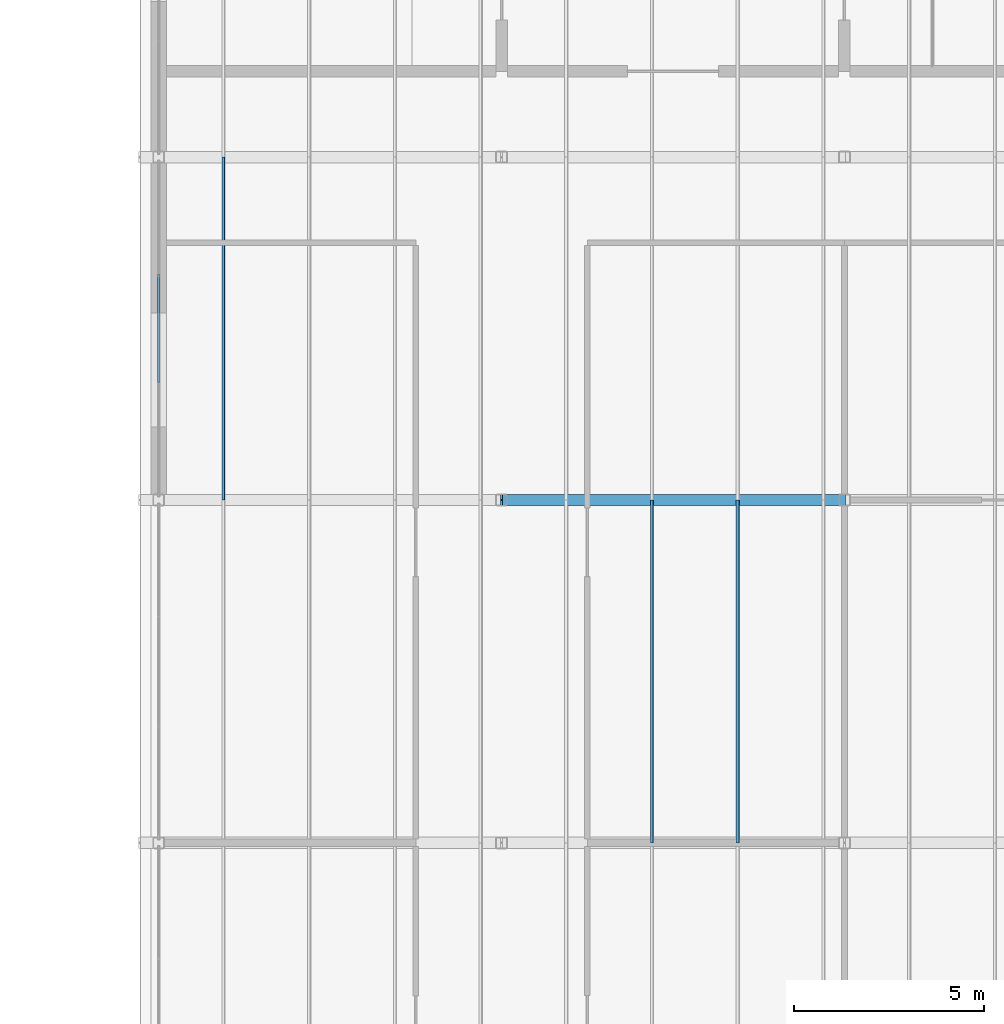
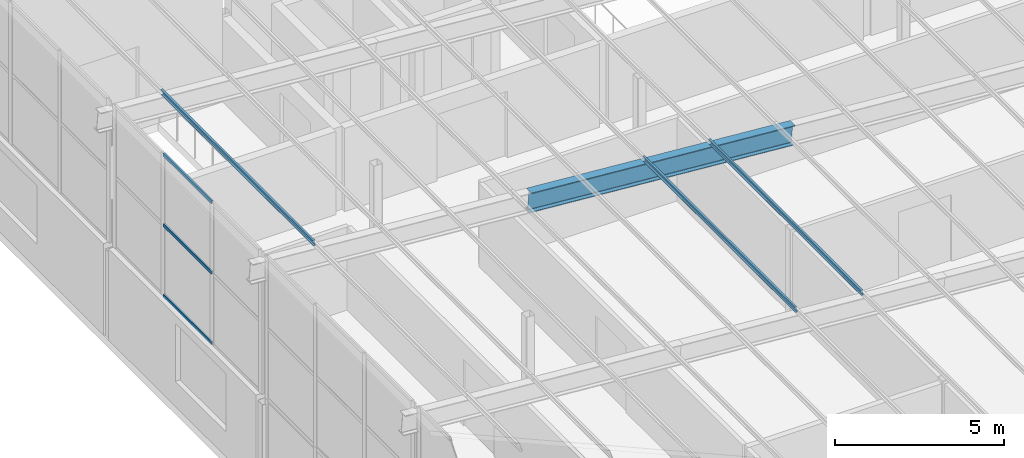
# One storey, part 50 of 85: 7 members, 1 element without a shape of its own.
"""IFC4 building model written with IfcOpenShell, lengths in metres."""

from ifc_helpers import new_model, si_unit, direction, frame, origin, origin_2d, place, context, subcontext, project, spatial, polyline, hollow_rectangle, i_section, outline, extrude, material, layer, layer_set, material_profile, profile_set, type_object, element, aggregate, save


model = new_model("IFC4")

# Units and contexts
model_context = context("Model", 3, precision=1e-05, world=origin(), true_north=direction((0.0, 1.0)))
body_context = subcontext(model_context, "Body", "Model", "MODEL_VIEW")
ifc_project = project(units=[si_unit("LENGTHUNIT", "METRE"), si_unit("AREAUNIT", "SQUARE_METRE"), si_unit("VOLUMEUNIT", "CUBIC_METRE"), si_unit("PLANEANGLEUNIT", "RADIAN"), si_unit("MASSUNIT", "GRAM", prefix="KILO")], contexts=[model_context])

# Site, building, storey
site_placement = place(None, origin())
site = spatial("IfcSite", under=ifc_project, at=site_placement, CompositionType="ELEMENT")
building_placement = place(site_placement, origin())
building = spatial("IfcBuilding", under=site, at=building_placement, Name="Opaline Strait Convention Centre", CompositionType="ELEMENT")
storey_placement = place(building_placement, frame((0.0, 0.0, 17.0)))
storey = spatial("IfcBuildingStorey", under=building, at=storey_placement, Name="L03", CompositionType="ELEMENT", Elevation=17.0)

# Curtain wall, members
ifc_material_1 = material(Name="Aluminium framed double glazing", Category="aluminium")
ifc_layer = layer(ifc_material_1, 0.199951171875)
ifc_layer_set = layer_set([ifc_layer], Name="Aluminium framed double glazing")
curtain_wall_type = type_object("IfcCurtainWallType", Name="Curtain wall 3000 module unitised", PredefinedType="NOTDEFINED", material=ifc_layer_set)
curtain_wall_placement = place(storey_placement, origin())
curtain_wall = element("IfcCurtainWall", 1, at=curtain_wall_placement, inside=storey, type_object=curtain_wall_type, Name="Clerestory curtain wall W L03 32/U", PredefinedType="NOTDEFINED")
ifc_material_2 = material(Name="Aluminium alloy 6063", Category="aluminium")
ifc_material_profile_1 = material_profile(ifc_material_2, hollow_rectangle(XDim=0.06005859375, YDim=0.1201171875, WallThickness=0.0029296875, at=origin_2d()), Name="TRANSOM 60x120x3")
ifc_profile_set_1 = profile_set([ifc_material_profile_1], Name="Aluminium alloy 6063")
member_type_1 = type_object("IfcMemberType", Name="Curtain wall transom 60 x 120", PredefinedType="USERDEFINED", material=ifc_profile_set_1)
member_1_placement = place(storey_placement, frame((279.0, 165.080078125, 3.330078125), z_axis=(0.0, 1.0, 0.0), x_axis=(-1.0, 0.0, 0.0)))
member_1 = element("IfcMember", 2, at=member_1_placement, type_object=member_type_1, Name="MCWR1 transom 2.1", ObjectType="TRANSOM", PredefinedType="USERDEFINED", context=body_context, shape_type="SweptSolid", body=[
    extrude(hollow_rectangle(XDim=0.06005859375, YDim=0.1201171875, WallThickness=0.0029296875, at=origin_2d()), origin(), (0.0, 0.0, 1.0), 2.83984375),
])
member_2_placement = place(storey_placement, frame((279.0, 165.080078125, 5.872314453125), z_axis=(0.0, 1.0, 0.0), x_axis=(-1.0, 0.0, 0.0)))
member_2 = element("IfcMember", 3, at=member_2_placement, type_object=member_type_1, Name="MCWR1 transom 2.2", ObjectType="TRANSOM", PredefinedType="USERDEFINED", context=body_context, shape_type="SweptSolid", body=[
    extrude(hollow_rectangle(XDim=0.06005859375, YDim=0.1201171875, WallThickness=0.0029296875, at=origin_2d()), origin(), (0.0, 0.0, 1.0), 2.83984375),
])
member_3_placement = place(storey_placement, frame((279.0, 165.080078125, 8.414306640625), z_axis=(0.0, 1.0, 0.0), x_axis=(-1.0, 0.0, 0.0)))
member_3 = element("IfcMember", 4, at=member_3_placement, type_object=member_type_1, Name="MCWR1 transom 2.3", ObjectType="TRANSOM", PredefinedType="USERDEFINED", context=body_context, shape_type="SweptSolid", body=[
    extrude(hollow_rectangle(XDim=0.06005859375, YDim=0.1201171875, WallThickness=0.0029296875, at=origin_2d()), origin(), (0.0, 0.0, 1.0), 2.83984375),
])
aggregate(curtain_wall, [member_1, member_2, member_3])

# Members
ifc_material_3 = material(Name="Steel Q355B", Category="steel")
ifc_material_profile_2 = material_profile(ifc_material_3, outline(polyline([(-0.034912109375, -0.10009765625), (0.034912109375, -0.10009765625), (0.034912109375, -0.080078125), (0.032470703125, -0.080078125), (0.032470703125, -0.097412109375), (-0.032470703125, -0.097412109375), (-0.032470703125, 0.097412109375), (0.032470703125, 0.097412109375), (0.032470703125, 0.080078125), (0.034912109375, 0.080078125), (0.034912109375, 0.10009765625), (-0.034912109375, 0.10009765625), (-0.034912109375, -0.10009765625)])), Name="C 200x70x20x2.5")
ifc_profile_set_2 = profile_set([ifc_material_profile_2], Name="Steel Q355B")
member_type_2 = type_object("IfcMemberType", Name="Roof purlin C 200x70x20x2.5", PredefinedType="PURLIN", material=ifc_profile_set_2)
for number, where, z_axis, x_axis, name in (
    (5, (294.199951171875, 153.0, 7.147705078125), (0.0, 1.0, 0.0), (-0.996917333733, 0.0, -0.078459095728), "MRP1 purlin W wing 148"),
    (6, (291.949951171875, 153.0, 7.324951171875), (0.0, 1.0, 0.0), (-0.996917333733, 0.0, -0.078459095728), "MRP1 purlin W wing 158"),
    (7, (280.699951171875, 162.0, 8.210205078125), (0.0, 1.0, 0.0), (-0.996917333733, 0.0, -0.078459095728), "MRP1 purlin W wing 209"),
):
    element("IfcMember", number, at=place(storey_placement, frame(where, z_axis=z_axis, x_axis=x_axis)), inside=storey, type_object=member_type_2, Name=name, PredefinedType="PURLIN", context=body_context, shape_type="SweptSolid", body=[
        extrude(outline(polyline([(-0.034912109375, -0.10009765625), (0.034912109375, -0.10009765625), (0.034912109375, -0.080078125), (0.032470703125, -0.080078125), (0.032470703125, -0.097412109375), (-0.032470703125, -0.097412109375), (-0.032470703125, 0.097412109375), (0.032470703125, 0.097412109375), (0.032470703125, 0.080078125), (0.034912109375, 0.080078125), (0.034912109375, 0.10009765625), (-0.034912109375, 0.10009765625), (-0.034912109375, -0.10009765625)])), origin(), (0.0, 0.0, 1.0), 9.0),
    ])
ifc_material_profile_3 = material_profile(ifc_material_3, i_section(OverallWidth=0.300048828125, OverallDepth=0.699951171875, WebThickness=0.012939453125, FlangeThickness=0.02392578125, FilletRadius=0.01806640625, at=origin_2d()), Name="HN 700x300x13x24")
ifc_profile_set_3 = profile_set([ifc_material_profile_3], Name="Steel Q355B")
member_type_3 = type_object("IfcMemberType", Name="Roof rafter HN 700x300x13x24", PredefinedType="RAFTER", material=ifc_profile_set_3)
member_4_placement = place(storey_placement, frame((288.0, 162.0, 7.184326171875), z_axis=(0.996917883079, 0.0, -0.078452115311), x_axis=(0.0, 1.0, 0.0)))
element("IfcMember", 8, at=member_4_placement, inside=storey, type_object=member_type_3, Name="MRR1 rafter y 162", PredefinedType="RAFTER", context=body_context, shape_type="SweptSolid", body=[
    extrude(i_section(OverallWidth=0.300048828125, OverallDepth=0.699951171875, WebThickness=0.012939453125, FlangeThickness=0.02392578125, FilletRadius=0.01806640625, at=origin_2d()), origin(), (0.0, 0.0, 1.0), 9.02783203125),
])

save(model, "model.ifc")
